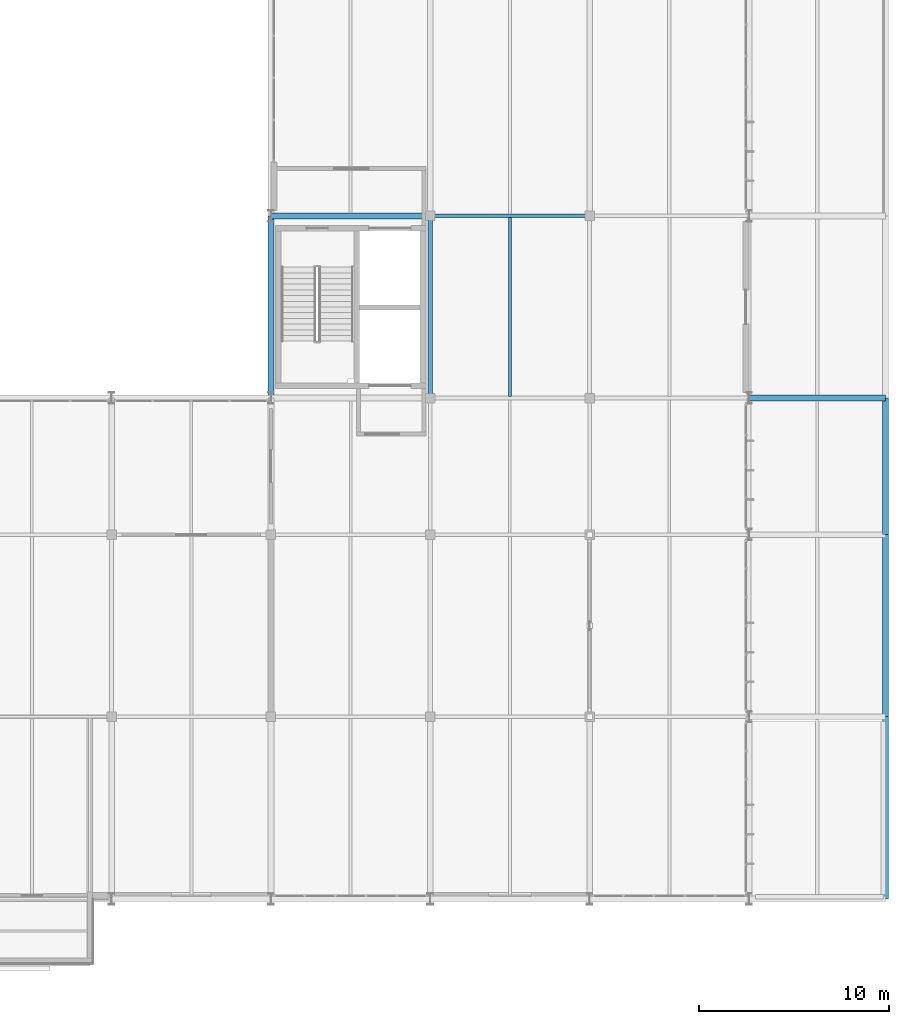
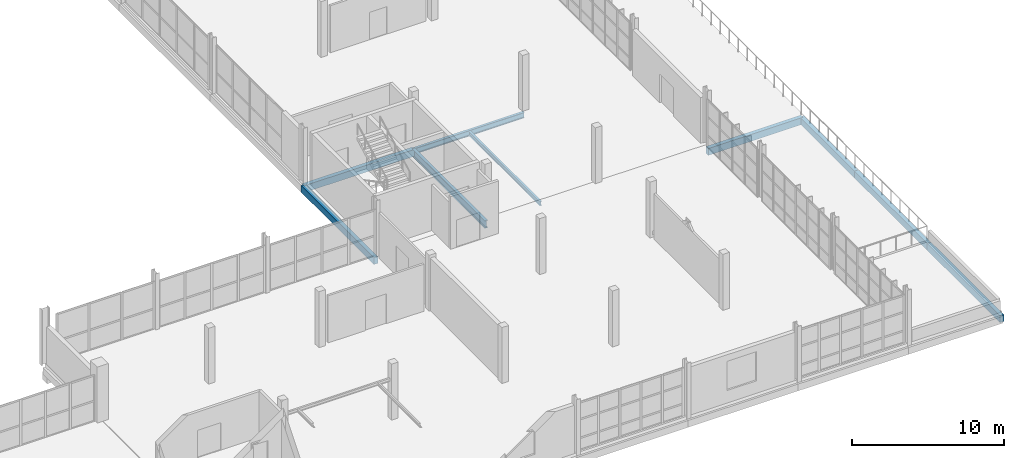
# One storey, part 73 of 109: 9 beams.
"""IFC4 building model written with IfcOpenShell, lengths in metres."""

from ifc_helpers import new_model, si_unit, direction, frame, origin, origin_2d, place, context, subcontext, project, spatial, rectangle, i_section, extrude, material, material_profile, profile_set, type_object, element, save


model = new_model("IFC4")

# Units and contexts
model_context = context("Model", 3, precision=1e-05, world=origin(), true_north=direction((0.0, 1.0)))
body_context = subcontext(model_context, "Body", "Model", "MODEL_VIEW")
ifc_project = project(units=[si_unit("LENGTHUNIT", "METRE"), si_unit("AREAUNIT", "SQUARE_METRE"), si_unit("VOLUMEUNIT", "CUBIC_METRE"), si_unit("PLANEANGLEUNIT", "RADIAN"), si_unit("MASSUNIT", "GRAM", prefix="KILO")], contexts=[model_context])

# Site, building, storey
site_placement = place(None, origin())
site = spatial("IfcSite", under=ifc_project, at=site_placement, CompositionType="ELEMENT")
building_placement = place(site_placement, origin())
building = spatial("IfcBuilding", under=site, at=building_placement, Name="Veltarok Museum of Natural Sciences", CompositionType="ELEMENT")
storey_placement = place(building_placement, frame((0.0, 0.0, 17.39990234375)))
storey = spatial("IfcBuildingStorey", under=building, at=storey_placement, Name="L03", CompositionType="ELEMENT", Elevation=17.39990234375)

# Beams
ifc_material_1 = material(Name="Precast concrete C40/50", Category="concrete")
ifc_material_profile_1 = material_profile(ifc_material_1, rectangle(XDim=0.300048828125, YDim=0.550048828125, at=origin_2d()), Name="RC 300x550")
ifc_profile_set_1 = profile_set([ifc_material_profile_1], Name="Precast concrete C40/50")
beam_type_1 = type_object("IfcBeamType", Name="East Wing Precast Spandrel RC 300x550", PredefinedType="SPANDREL", material=ifc_profile_set_1)
beam_1_placement = place(storey_placement, frame((157.60009765625, 26.39990234375, -0.534912109375), z_axis=(1.0, 0.0, 0.0), x_axis=(0.0, 1.0, 0.0)))
element("IfcBeam", 1, at=beam_1_placement, inside=storey, type_object=beam_type_1, Name="Beam BM-SP02 L03 19-20/D", PredefinedType="SPANDREL", context=body_context, shape_type="SweptSolid", body=[
    extrude(rectangle(XDim=0.300048828125, YDim=0.550048828125, at=origin_2d()), origin(), (0.0, 0.0, 1.0), 7.199951171875),
])
beam_2_placement = place(storey_placement, frame((132.39990234375, 36.0, -0.52490234375), z_axis=(1.0, 0.0, 0.0), x_axis=(0.0, 1.0, 0.0)))
element("IfcBeam", 2, at=beam_2_placement, inside=storey, type_object=beam_type_1, Name="Beam BM-SP02 L03 16-17/E", PredefinedType="SPANDREL", context=body_context, shape_type="SweptSolid", body=[
    extrude(rectangle(XDim=0.300048828125, YDim=0.550048828125, at=origin_2d()), origin(), (0.0, 0.0, 1.0), 8.400146484375),
])
for number, where, z_axis, x_axis, name in (
    (3, (132.39990234375, 26.39990234375, -0.52490234375), (0.0, 1.0, 0.0), (-1.0, 0.0, 0.0), "Beam BM-SP02 L03 16/D-E"),
    (4, (164.800048828125, 0.0, -0.534912109375), (0.0, 1.0, 0.0), (-1.0, 0.0, 0.0), "Beam BM-SP02 L03 20/A-B"),
):
    element("IfcBeam", number, at=place(storey_placement, frame(where, z_axis=z_axis, x_axis=x_axis)), inside=storey, type_object=beam_type_1, Name=name, PredefinedType="SPANDREL", context=body_context, shape_type="SweptSolid", body=[
        extrude(rectangle(XDim=0.300048828125, YDim=0.550048828125, at=origin_2d()), origin(), (0.0, 0.0, 1.0), 9.60009765625),
    ])
beam_3_placement = place(storey_placement, frame((164.800048828125, 9.60009765625, -0.534912109375), z_axis=(0.0, 1.0, 0.0), x_axis=(-1.0, 0.0, 0.0)))
element("IfcBeam", 5, at=beam_3_placement, inside=storey, type_object=beam_type_1, Name="Beam BM-SP02 L03 20/B-C", PredefinedType="SPANDREL", context=body_context, shape_type="SweptSolid", body=[
    extrude(rectangle(XDim=0.300048828125, YDim=0.550048828125, at=origin_2d()), origin(), (0.0, 0.0, 1.0), 9.599853515625),
])
beam_4_placement = place(storey_placement, frame((164.800048828125, 19.199951171875, -0.534912109375), z_axis=(0.0, 1.0, 0.0), x_axis=(-1.0, 0.0, 0.0)))
element("IfcBeam", 6, at=beam_4_placement, inside=storey, type_object=beam_type_1, Name="Beam BM-SP02 L03 20/C-D", PredefinedType="SPANDREL", context=body_context, shape_type="SweptSolid", body=[
    extrude(rectangle(XDim=0.300048828125, YDim=0.550048828125, at=origin_2d()), origin(), (0.0, 0.0, 1.0), 7.199951171875),
])
ifc_material_2 = material(Name="Steel S355J2", Category="steel")
ifc_material_profile_2 = material_profile(ifc_material_2, i_section(OverallWidth=0.18994140625, OverallDepth=0.449951171875, WebThickness=0.009521484375, FlangeThickness=0.0146484375, FilletRadius=0.02099609375, at=origin_2d()), Name="IPE 450")
ifc_profile_set_2 = profile_set([ifc_material_profile_2], Name="Steel S355J2")
beam_type_2 = type_object("IfcBeamType", Name="Laboratory Floor Girder IPE 450", PredefinedType="BEAM", material=ifc_profile_set_2)
beam_5_placement = place(storey_placement, frame((140.800048828125, 36.0, -0.474853515625), z_axis=(1.0, 0.0, 0.0), x_axis=(0.0, 1.0, 0.0)))
element("IfcBeam", 7, at=beam_5_placement, inside=storey, type_object=beam_type_2, Name="Beam BM-G05 L03 17-18/E", PredefinedType="BEAM", context=body_context, shape_type="SweptSolid", body=[
    extrude(i_section(OverallWidth=0.18994140625, OverallDepth=0.449951171875, WebThickness=0.009521484375, FlangeThickness=0.0146484375, FilletRadius=0.02099609375, at=origin_2d()), origin(), (0.0, 0.0, 1.0), 8.39990234375),
])
ifc_material_profile_3 = material_profile(ifc_material_2, i_section(OverallWidth=0.159912109375, OverallDepth=0.330078125, WebThickness=0.007568359375, FlangeThickness=0.011474609375, FilletRadius=0.01806640625, at=origin_2d()), Name="IPE 330")
ifc_profile_set_3 = profile_set([ifc_material_profile_3], Name="Steel S355J2")
beam_type_3 = type_object("IfcBeamType", Name="Medium-Bay Composite Joist IPE 330", PredefinedType="JOIST", material=ifc_profile_set_3)
beam_6_placement = place(storey_placement, frame((145.0, 26.492919921875, -0.414794921875), z_axis=(0.0, 1.0, 0.0), x_axis=(-1.0, 0.0, 0.0)))
element("IfcBeam", 8, at=beam_6_placement, inside=storey, type_object=beam_type_3, Name="Secondary Joist BM-J02 L03 17-18/D-E.1", PredefinedType="JOIST", context=body_context, shape_type="SweptSolid", body=[
    extrude(i_section(OverallWidth=0.159912109375, OverallDepth=0.330078125, WebThickness=0.007568359375, FlangeThickness=0.011474609375, FilletRadius=0.01806640625, at=origin_2d()), origin(), (0.0, 0.0, 1.0), 9.4140625),
])
ifc_material_profile_4 = material_profile(ifc_material_2, i_section(OverallWidth=0.219970703125, OverallDepth=0.60009765625, WebThickness=0.011962890625, FlangeThickness=0.01904296875, FilletRadius=0.02392578125, at=origin_2d()), Name="IPE 600")
ifc_profile_set_4 = profile_set([ifc_material_profile_4], Name="Steel S355J2")
beam_type_4 = type_object("IfcBeamType", Name="Primary Museum Girder IPE 600", PredefinedType="BEAM", material=ifc_profile_set_4)
beam_7_placement = place(storey_placement, frame((140.800048828125, 26.39990234375, -0.5498046875), z_axis=(0.0, 1.0, 0.0), x_axis=(-1.0, 0.0, 0.0)))
element("IfcBeam", 9, at=beam_7_placement, inside=storey, type_object=beam_type_4, Name="Beam BM-G02 L03 17/D-E", PredefinedType="BEAM", context=body_context, shape_type="SweptSolid", body=[
    extrude(i_section(OverallWidth=0.219970703125, OverallDepth=0.60009765625, WebThickness=0.011962890625, FlangeThickness=0.01904296875, FilletRadius=0.02392578125, at=origin_2d()), origin(), (0.0, 0.0, 1.0), 9.60009765625),
])

save(model, "model.ifc")
